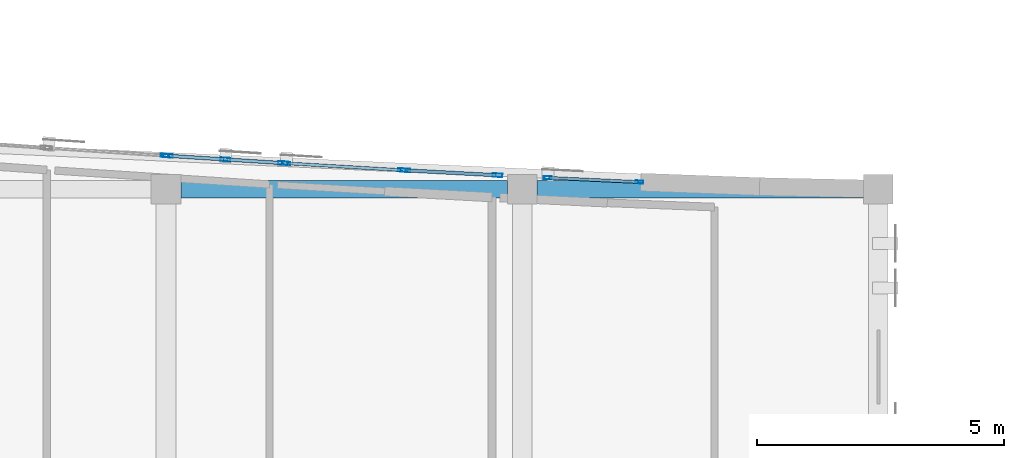
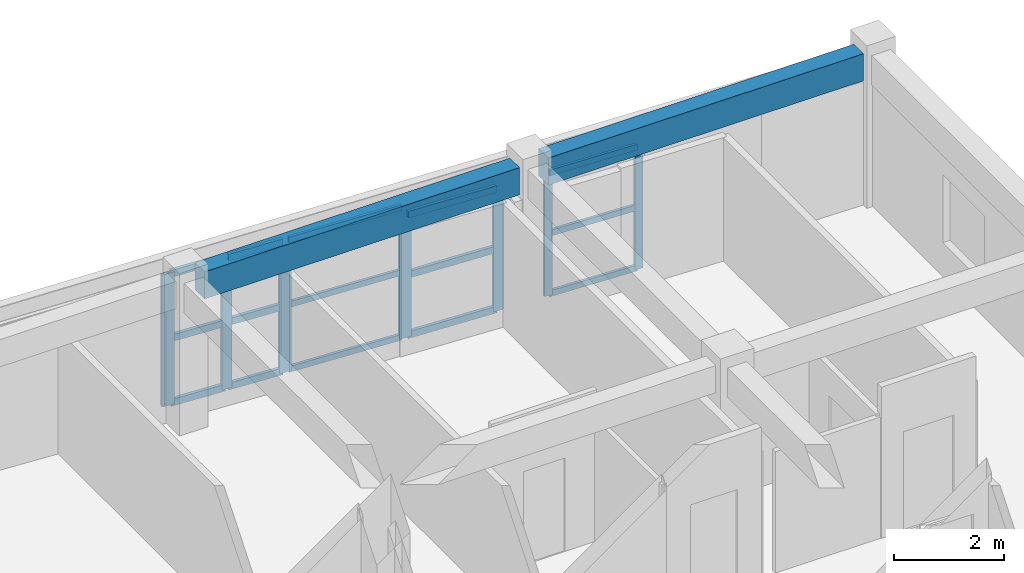
# One storey, part 30 of 50: 25 members, 2 beams, 5 elements without a shape of their own.
"""IFC4 building model written with IfcOpenShell, lengths in metres."""

from ifc_helpers import new_model, si_unit, direction, frame, origin, origin_2d, place, context, subcontext, project, spatial, rectangle, hollow_rectangle, extrude, material, layer, layer_set, material_profile, profile_set, type_object, element, aggregate, save


model = new_model("IFC4")

# Units and contexts
model_context = context("Model", 3, precision=1e-05, world=origin(), true_north=direction((0.0, 1.0)))
body_context = subcontext(model_context, "Body", "Model", "MODEL_VIEW")
ifc_project = project(units=[si_unit("LENGTHUNIT", "METRE"), si_unit("AREAUNIT", "SQUARE_METRE"), si_unit("VOLUMEUNIT", "CUBIC_METRE"), si_unit("PLANEANGLEUNIT", "RADIAN"), si_unit("MASSUNIT", "GRAM", prefix="KILO")], contexts=[model_context])

# Site, building, storey
site_placement = place(None, origin())
site = spatial("IfcSite", under=ifc_project, at=site_placement, CompositionType="ELEMENT")
building_placement = place(site_placement, origin())
building = spatial("IfcBuilding", under=site, at=building_placement, Name="Carrowvane Square Congress Hotel", CompositionType="ELEMENT")
storey_placement = place(building_placement, frame((0.0, 0.0, 22.800048828125)))
storey = spatial("IfcBuildingStorey", under=building, at=storey_placement, Name="L05", CompositionType="ELEMENT", Elevation=22.800048828125)

# Beams
ifc_material_1 = material(Name="Concrete C35/45", Category="concrete")
ifc_material_profile_1 = material_profile(ifc_material_1, rectangle(XDim=0.35009765625, YDim=0.60009765625, at=origin_2d()), Name="RC 350x600")
ifc_profile_set_1 = profile_set([ifc_material_profile_1], Name="Concrete C35/45")
beam_type = type_object("IfcBeamType", Name="BM-RC-350x600", PredefinedType="BEAM", material=ifc_profile_set_1)
for number, where, z_axis, x_axis, name in (
    (1, (148.699951171875, 113.39990234375, 3.050048828125), (1.0, 0.0, 0.0), (0.0, 1.0, 0.0), "L06 girder R/20-21"),
    (2, (155.89990234375, 113.39990234375, 3.050048828125), (1.0, 0.0, 0.0), (0.0, 1.0, 0.0), "L06 girder R/21-22"),
):
    element("IfcBeam", number, at=place(storey_placement, frame(where, z_axis=z_axis, x_axis=x_axis)), inside=storey, type_object=beam_type, Name=name, PredefinedType="BEAM", context=body_context, shape_type="SweptSolid", body=[
        extrude(rectangle(XDim=0.35009765625, YDim=0.60009765625, at=origin_2d()), origin(), (0.0, 0.0, 1.0), 6.60009765625),
    ])

# Curtain wall, member
ifc_material_2 = material(Name="Anodised aluminium", Category="aluminium")
ifc_layer_1 = layer(ifc_material_2, 0.162109375)
ifc_layer_set_1 = layer_set([ifc_layer_1], Name="Anodised aluminium")
curtain_wall_type_1 = type_object("IfcCurtainWallType", Name="CW-SYS-1", PredefinedType="NOTDEFINED", material=ifc_layer_set_1)
curtain_wall_1_placement = place(storey_placement, origin())
curtain_wall_1 = element("IfcCurtainWall", 3, at=curtain_wall_1_placement, inside=storey, type_object=curtain_wall_type_1, Name="L05 unitised curtain wall 352", PredefinedType="NOTDEFINED")
ifc_material_3 = material(Name="Anodised aluminium", Category="aluminium")
ifc_material_profile_2 = material_profile(ifc_material_3, hollow_rectangle(XDim=0.06005859375, YDim=0.159912109375, WallThickness=0.00390625, at=origin_2d()), Name="CW-ML 60x160x4")
ifc_profile_set_2 = profile_set([ifc_material_profile_2], Name="Anodised aluminium")
member_type_1 = type_object("IfcMemberType", Name="CW-MUL-1", PredefinedType="MULLION", material=ifc_profile_set_2)
member_1_placement = place(storey_placement, frame((148.3701171875, 114.077392578125, 0.0), z_axis=(0.0, 0.0, 1.0), x_axis=(0.06657392244, 0.997781495544, 0.0)))
member_1 = element("IfcMember", 4, at=member_1_placement, type_object=member_type_1, Name="CW-1 mullion 2", PredefinedType="MULLION", context=body_context, shape_type="SweptSolid", body=[
    extrude(hollow_rectangle(XDim=0.06005859375, YDim=0.159912109375, WallThickness=0.00390625, at=origin_2d()), origin(), (0.0, 0.0, 1.0), 2.925537109375),
])
aggregate(curtain_wall_1, [member_1])

# Curtain wall, members
ifc_material_4 = material(Name="Anodised aluminium", Category="aluminium")
ifc_layer_2 = layer(ifc_material_4, 0.18603515625)
ifc_layer_set_2 = layer_set([ifc_layer_2], Name="Anodised aluminium")
curtain_wall_type_2 = type_object("IfcCurtainWallType", Name="CW-SYS-3", PredefinedType="NOTDEFINED", material=ifc_layer_set_2)
curtain_wall_2_placement = place(storey_placement, origin())
curtain_wall_2 = element("IfcCurtainWall", 5, at=curtain_wall_2_placement, inside=storey, type_object=curtain_wall_type_2, Name="L05 unitised curtain wall 354", PredefinedType="NOTDEFINED")
member_2_placement = place(storey_placement, frame((150.829833984375, 113.92138671875, 0.0), z_axis=(0.0, 0.0, 1.0), x_axis=(0.058988522254, 0.99825866099, 0.0)))
member_2 = element("IfcMember", 6, at=member_2_placement, type_object=member_type_1, Name="CW-3 mullion 1", PredefinedType="MULLION", context=body_context, shape_type="SweptSolid", body=[
    extrude(hollow_rectangle(XDim=0.06005859375, YDim=0.159912109375, WallThickness=0.00390625, at=origin_2d()), origin(), (0.0, 0.0, 1.0), 2.925537109375),
])
member_3_placement = place(storey_placement, frame((153.170166015625, 113.783203125, 0.0), z_axis=(0.0, 0.0, 1.0), x_axis=(0.058988522254, 0.99825866099, 0.0)))
member_3 = element("IfcMember", 7, at=member_3_placement, type_object=member_type_1, Name="CW-3 mullion 2", PredefinedType="MULLION", context=body_context, shape_type="SweptSolid", body=[
    extrude(hollow_rectangle(XDim=0.06005859375, YDim=0.159912109375, WallThickness=0.00390625, at=origin_2d()), origin(), (0.0, 0.0, 1.0), 2.925537109375),
])

ifc_material_5 = material(Name="Anodised aluminium", Category="aluminium")
ifc_layer_3 = layer(ifc_material_5, 0.2099609375)
ifc_layer_set_3 = layer_set([ifc_layer_3], Name="Anodised aluminium")
curtain_wall_type_3 = type_object("IfcCurtainWallType", Name="CW-SYS-5", PredefinedType="NOTDEFINED", material=ifc_layer_set_3)
curtain_wall_3_placement = place(storey_placement, origin())
curtain_wall_3 = element("IfcCurtainWall", 8, at=curtain_wall_3_placement, inside=storey, type_object=curtain_wall_type_3, Name="L05 unitised curtain wall 356", PredefinedType="NOTDEFINED")
member_4_placement = place(storey_placement, frame((156.11865234375, 113.628662109375, 0.0), z_axis=(0.0, 0.0, 1.0), x_axis=(0.046522035775, 0.998917263935, 0.0)))
member_4 = element("IfcMember", 9, at=member_4_placement, type_object=member_type_1, Name="CW-5 mullion 1", PredefinedType="MULLION", context=body_context, shape_type="SweptSolid", body=[
    extrude(hollow_rectangle(XDim=0.06005859375, YDim=0.159912109375, WallThickness=0.00390625, at=origin_2d()), origin(), (0.0, 0.0, 1.0), 2.73486328125),
])
member_5_placement = place(storey_placement, frame((157.969970703125, 113.54248046875, 0.0), z_axis=(0.0, 0.0, 1.0), x_axis=(0.046522035775, 0.998917263935, 0.0)))
member_5 = element("IfcMember", 10, at=member_5_placement, type_object=member_type_1, Name="CW-5 mullion 2", PredefinedType="MULLION", context=body_context, shape_type="SweptSolid", body=[
    extrude(hollow_rectangle(XDim=0.06005859375, YDim=0.159912109375, WallThickness=0.00390625, at=origin_2d()), origin(), (0.0, 0.0, 1.0), 2.73486328125),
])

ifc_material_6 = material(Name="Anodised aluminium", Category="aluminium")
ifc_layer_4 = layer(ifc_material_6, 0.174072265625)
ifc_layer_set_4 = layer_set([ifc_layer_4], Name="Anodised aluminium")
curtain_wall_type_4 = type_object("IfcCurtainWallType", Name="CW-SYS-2", PredefinedType="NOTDEFINED", material=ifc_layer_set_4)
curtain_wall_4_placement = place(storey_placement, origin())
curtain_wall_4 = element("IfcCurtainWall", 11, at=curtain_wall_4_placement, inside=storey, type_object=curtain_wall_type_4, Name="L05 unitised curtain wall 353", PredefinedType="NOTDEFINED")
ifc_material_7 = material(Name="Anodised aluminium", Category="aluminium")
ifc_material_profile_3 = material_profile(ifc_material_7, hollow_rectangle(XDim=0.070068359375, YDim=0.199951171875, WallThickness=0.0048828125, at=origin_2d()), Name="CW-ML 70x200x5")
ifc_profile_set_3 = profile_set([ifc_material_profile_3], Name="Anodised aluminium")
member_type_2 = type_object("IfcMemberType", Name="CW-MUL-2", PredefinedType="MULLION", material=ifc_profile_set_3)
member_6_placement = place(storey_placement, frame((148.434814453125, 114.0732421875, 0.0), z_axis=(0.0, 0.0, 1.0), x_axis=(0.063273487972, 0.997996225303, 0.0)))
member_6 = element("IfcMember", 12, at=member_6_placement, type_object=member_type_2, Name="CW-2 mullion 1", PredefinedType="MULLION", context=body_context, shape_type="SweptSolid", body=[
    extrude(hollow_rectangle(XDim=0.070068359375, YDim=0.199951171875, WallThickness=0.0048828125, at=origin_2d()), origin(), (0.0, 0.0, 1.0), 2.925537109375),
])
member_7_placement = place(storey_placement, frame((149.60009765625, 113.999267578125, 0.0), z_axis=(0.0, 0.0, 1.0), x_axis=(0.063273487972, 0.997996225303, 0.0)))
member_7 = element("IfcMember", 13, at=member_7_placement, type_object=member_type_2, Name="CW-2 mullion 2", PredefinedType="MULLION", context=body_context, shape_type="SweptSolid", body=[
    extrude(hollow_rectangle(XDim=0.070068359375, YDim=0.199951171875, WallThickness=0.0048828125, at=origin_2d()), origin(), (0.0, 0.0, 1.0), 2.925537109375),
])
member_8_placement = place(storey_placement, frame((150.76513671875, 113.92529296875, 0.0), z_axis=(0.0, 0.0, 1.0), x_axis=(0.063273487972, 0.997996225303, 0.0)))
member_8 = element("IfcMember", 14, at=member_8_placement, type_object=member_type_2, Name="CW-2 mullion 3", PredefinedType="MULLION", context=body_context, shape_type="SweptSolid", body=[
    extrude(hollow_rectangle(XDim=0.070068359375, YDim=0.199951171875, WallThickness=0.0048828125, at=origin_2d()), origin(), (0.0, 0.0, 1.0), 2.925537109375),
])

ifc_material_8 = material(Name="Anodised aluminium", Category="aluminium")
ifc_layer_5 = layer(ifc_material_8, 0.197998046875)
ifc_layer_set_5 = layer_set([ifc_layer_5], Name="Anodised aluminium")
curtain_wall_type_5 = type_object("IfcCurtainWallType", Name="CW-SYS-4", PredefinedType="NOTDEFINED", material=ifc_layer_set_5)
curtain_wall_5_placement = place(storey_placement, origin())
curtain_wall_5 = element("IfcCurtainWall", 15, at=curtain_wall_5_placement, inside=storey, type_object=curtain_wall_type_5, Name="L05 unitised curtain wall 355", PredefinedType="NOTDEFINED")
member_9_placement = place(storey_placement, frame((153.23486328125, 113.779541015625, 0.0), z_axis=(0.0, 0.0, 1.0), x_axis=(0.053516203185, 0.998566981227, 0.0)))
member_9 = element("IfcMember", 16, at=member_9_placement, type_object=member_type_2, Name="CW-4 mullion 1", PredefinedType="MULLION", context=body_context, shape_type="SweptSolid", body=[
    extrude(hollow_rectangle(XDim=0.070068359375, YDim=0.199951171875, WallThickness=0.0048828125, at=origin_2d()), origin(), (0.0, 0.0, 1.0), 2.73486328125),
])
member_10_placement = place(storey_placement, frame((155.101806640625, 113.679443359375, 0.0), z_axis=(0.0, 0.0, 1.0), x_axis=(0.053516203185, 0.998566981227, 0.0)))
member_10 = element("IfcMember", 17, at=member_10_placement, type_object=member_type_2, Name="CW-4 mullion 2", PredefinedType="MULLION", context=body_context, shape_type="SweptSolid", body=[
    extrude(hollow_rectangle(XDim=0.070068359375, YDim=0.199951171875, WallThickness=0.0048828125, at=origin_2d()), origin(), (0.0, 0.0, 1.0), 2.73486328125),
])

# Member
ifc_material_9 = material(Name="Anodised aluminium", Category="aluminium")
ifc_material_profile_4 = material_profile(ifc_material_9, hollow_rectangle(XDim=0.06005859375, YDim=0.1298828125, WallThickness=0.00390625, at=origin_2d()), Name="CW-TR 60x130x4")
ifc_profile_set_4 = profile_set([ifc_material_profile_4], Name="Anodised aluminium")
member_type_3 = type_object("IfcMemberType", Name="CW-TRN-1", PredefinedType="USERDEFINED", material=ifc_profile_set_4)
member_11_placement = place(storey_placement, frame((150.85986328125, 113.919677734375, 0.030029296875), z_axis=(0.998258118852, -0.058997696103, 0.0), x_axis=(0.058997696103, 0.998258118852, 0.0)))
member_11 = element("IfcMember", 18, at=member_11_placement, type_object=member_type_3, Name="CW-3 transom 1.1", ObjectType="TRANSOM", PredefinedType="USERDEFINED", context=body_context, shape_type="SweptSolid", body=[
    extrude(hollow_rectangle(XDim=0.06005859375, YDim=0.1298828125, WallThickness=0.00390625, at=origin_2d()), origin(), (0.0, 0.0, 1.0), 2.2841796875),
])

member_12_placement = place(storey_placement, frame((150.85986328125, 113.919677734375, 1.462646484375), z_axis=(0.998258118852, -0.058997696103, 0.0), x_axis=(0.058997696103, 0.998258118852, 0.0)))
member_12 = element("IfcMember", 19, at=member_12_placement, type_object=member_type_3, Name="CW-3 transom 1.2", ObjectType="TRANSOM", PredefinedType="USERDEFINED", context=body_context, shape_type="SweptSolid", body=[
    extrude(hollow_rectangle(XDim=0.06005859375, YDim=0.1298828125, WallThickness=0.00390625, at=origin_2d()), origin(), (0.0, 0.0, 1.0), 2.2841796875),
])

member_13_placement = place(storey_placement, frame((150.85986328125, 113.919677734375, 2.8955078125), z_axis=(0.998258118852, -0.058997696103, 0.0), x_axis=(0.058997696103, 0.998258118852, 0.0)))
member_13 = element("IfcMember", 20, at=member_13_placement, type_object=member_type_3, Name="CW-3 transom 1.3", ObjectType="TRANSOM", PredefinedType="USERDEFINED", context=body_context, shape_type="SweptSolid", body=[
    extrude(hollow_rectangle(XDim=0.06005859375, YDim=0.1298828125, WallThickness=0.00390625, at=origin_2d()), origin(), (0.0, 0.0, 1.0), 2.2841796875),
])

aggregate(curtain_wall_2, [member_2, member_3, member_11, member_12, member_13])

member_14_placement = place(storey_placement, frame((156.1484375, 113.627197265625, 0.030029296875), z_axis=(0.998915968728, -0.04654983803, 0.0), x_axis=(0.04654983803, 0.998915968728, 0.0)))
member_14 = element("IfcMember", 21, at=member_14_placement, type_object=member_type_3, Name="CW-5 transom 1.1", ObjectType="TRANSOM", PredefinedType="USERDEFINED", context=body_context, shape_type="SweptSolid", body=[
    extrude(hollow_rectangle(XDim=0.06005859375, YDim=0.1298828125, WallThickness=0.00390625, at=origin_2d()), origin(), (0.0, 0.0, 1.0), 1.793701171875),
])

member_15_placement = place(storey_placement, frame((156.1484375, 113.627197265625, 1.367431640625), z_axis=(0.998915968728, -0.04654983803, 0.0), x_axis=(0.04654983803, 0.998915968728, 0.0)))
member_15 = element("IfcMember", 22, at=member_15_placement, type_object=member_type_3, Name="CW-5 transom 1.2", ObjectType="TRANSOM", PredefinedType="USERDEFINED", context=body_context, shape_type="SweptSolid", body=[
    extrude(hollow_rectangle(XDim=0.06005859375, YDim=0.1298828125, WallThickness=0.00390625, at=origin_2d()), origin(), (0.0, 0.0, 1.0), 1.793701171875),
])

member_16_placement = place(storey_placement, frame((156.1484375, 113.627197265625, 2.704833984375), z_axis=(0.998915968728, -0.04654983803, 0.0), x_axis=(0.04654983803, 0.998915968728, 0.0)))
member_16 = element("IfcMember", 23, at=member_16_placement, type_object=member_type_3, Name="CW-5 transom 1.3", ObjectType="TRANSOM", PredefinedType="USERDEFINED", context=body_context, shape_type="SweptSolid", body=[
    extrude(hollow_rectangle(XDim=0.06005859375, YDim=0.1298828125, WallThickness=0.00390625, at=origin_2d()), origin(), (0.0, 0.0, 1.0), 1.793701171875),
])

aggregate(curtain_wall_3, [member_4, member_5, member_14, member_15, member_16])

ifc_material_10 = material(Name="Anodised aluminium", Category="aluminium")
ifc_material_profile_5 = material_profile(ifc_material_10, hollow_rectangle(XDim=0.070068359375, YDim=0.14990234375, WallThickness=0.0048828125, at=origin_2d()), Name="CW-TR 70x150x5")
ifc_profile_set_5 = profile_set([ifc_material_profile_5], Name="Anodised aluminium")
member_type_4 = type_object("IfcMemberType", Name="CW-TRN-2", PredefinedType="USERDEFINED", material=ifc_profile_set_5)
member_17_placement = place(storey_placement, frame((148.469970703125, 114.07080078125, 0.034912109375), z_axis=(0.998001159497, -0.063195614113, 0.0), x_axis=(0.063195614113, 0.998001159497, 0.0)))
member_17 = element("IfcMember", 24, at=member_17_placement, type_object=member_type_4, Name="CW-2 transom 1.1", ObjectType="TRANSOM", PredefinedType="USERDEFINED", context=body_context, shape_type="SweptSolid", body=[
    extrude(hollow_rectangle(XDim=0.070068359375, YDim=0.14990234375, WallThickness=0.0048828125, at=origin_2d()), origin(), (0.0, 0.0, 1.0), 1.09716796875),
])

member_18_placement = place(storey_placement, frame((148.469970703125, 114.07080078125, 1.462646484375), z_axis=(0.998001159497, -0.063195614113, 0.0), x_axis=(0.063195614113, 0.998001159497, 0.0)))
member_18 = element("IfcMember", 25, at=member_18_placement, type_object=member_type_4, Name="CW-2 transom 1.2", ObjectType="TRANSOM", PredefinedType="USERDEFINED", context=body_context, shape_type="SweptSolid", body=[
    extrude(hollow_rectangle(XDim=0.070068359375, YDim=0.14990234375, WallThickness=0.0048828125, at=origin_2d()), origin(), (0.0, 0.0, 1.0), 1.09716796875),
])

member_19_placement = place(storey_placement, frame((148.469970703125, 114.07080078125, 2.890625), z_axis=(0.998001159497, -0.063195614113, 0.0), x_axis=(0.063195614113, 0.998001159497, 0.0)))
member_19 = element("IfcMember", 26, at=member_19_placement, type_object=member_type_4, Name="CW-2 transom 1.3", ObjectType="TRANSOM", PredefinedType="USERDEFINED", context=body_context, shape_type="SweptSolid", body=[
    extrude(hollow_rectangle(XDim=0.070068359375, YDim=0.14990234375, WallThickness=0.0048828125, at=origin_2d()), origin(), (0.0, 0.0, 1.0), 1.09716796875),
])

member_20_placement = place(storey_placement, frame((149.635009765625, 113.9970703125, 0.034912109375), z_axis=(0.997987995528, -0.063403160661, 0.0), x_axis=(0.063403160661, 0.997987995528, 0.0)))
member_20 = element("IfcMember", 27, at=member_20_placement, type_object=member_type_4, Name="CW-2 transom 2.1", ObjectType="TRANSOM", PredefinedType="USERDEFINED", context=body_context, shape_type="SweptSolid", body=[
    extrude(hollow_rectangle(XDim=0.070068359375, YDim=0.14990234375, WallThickness=0.0048828125, at=origin_2d()), origin(), (0.0, 0.0, 1.0), 1.097412109375),
])

member_21_placement = place(storey_placement, frame((149.635009765625, 113.9970703125, 1.462646484375), z_axis=(0.997987995528, -0.063403160661, 0.0), x_axis=(0.063403160661, 0.997987995528, 0.0)))
member_21 = element("IfcMember", 28, at=member_21_placement, type_object=member_type_4, Name="CW-2 transom 2.2", ObjectType="TRANSOM", PredefinedType="USERDEFINED", context=body_context, shape_type="SweptSolid", body=[
    extrude(hollow_rectangle(XDim=0.070068359375, YDim=0.14990234375, WallThickness=0.0048828125, at=origin_2d()), origin(), (0.0, 0.0, 1.0), 1.097412109375),
])

member_22_placement = place(storey_placement, frame((149.635009765625, 113.9970703125, 2.890625), z_axis=(0.997987995528, -0.063403160661, 0.0), x_axis=(0.063403160661, 0.997987995528, 0.0)))
member_22 = element("IfcMember", 29, at=member_22_placement, type_object=member_type_4, Name="CW-2 transom 2.3", ObjectType="TRANSOM", PredefinedType="USERDEFINED", context=body_context, shape_type="SweptSolid", body=[
    extrude(hollow_rectangle(XDim=0.070068359375, YDim=0.14990234375, WallThickness=0.0048828125, at=origin_2d()), origin(), (0.0, 0.0, 1.0), 1.097412109375),
])

aggregate(curtain_wall_4, [member_6, member_7, member_8, member_17, member_18, member_19, member_20, member_21, member_22])

member_23_placement = place(storey_placement, frame((153.27001953125, 113.777587890625, 0.034912109375), z_axis=(0.998570202242, -0.053456067892, 0.0), x_axis=(0.053456067892, 0.998570202242, 0.0)))
member_23 = element("IfcMember", 30, at=member_23_placement, type_object=member_type_4, Name="CW-4 transom 1.1", ObjectType="TRANSOM", PredefinedType="USERDEFINED", context=body_context, shape_type="SweptSolid", body=[
    extrude(hollow_rectangle(XDim=0.070068359375, YDim=0.14990234375, WallThickness=0.0048828125, at=origin_2d()), origin(), (0.0, 0.0, 1.0), 1.799560546875),
])

member_24_placement = place(storey_placement, frame((153.27001953125, 113.777587890625, 1.367431640625), z_axis=(0.998570202242, -0.053456067892, 0.0), x_axis=(0.053456067892, 0.998570202242, 0.0)))
member_24 = element("IfcMember", 31, at=member_24_placement, type_object=member_type_4, Name="CW-4 transom 1.2", ObjectType="TRANSOM", PredefinedType="USERDEFINED", context=body_context, shape_type="SweptSolid", body=[
    extrude(hollow_rectangle(XDim=0.070068359375, YDim=0.14990234375, WallThickness=0.0048828125, at=origin_2d()), origin(), (0.0, 0.0, 1.0), 1.799560546875),
])

member_25_placement = place(storey_placement, frame((153.27001953125, 113.777587890625, 2.699951171875), z_axis=(0.998570202242, -0.053456067892, 0.0), x_axis=(0.053456067892, 0.998570202242, 0.0)))
member_25 = element("IfcMember", 32, at=member_25_placement, type_object=member_type_4, Name="CW-4 transom 1.3", ObjectType="TRANSOM", PredefinedType="USERDEFINED", context=body_context, shape_type="SweptSolid", body=[
    extrude(hollow_rectangle(XDim=0.070068359375, YDim=0.14990234375, WallThickness=0.0048828125, at=origin_2d()), origin(), (0.0, 0.0, 1.0), 1.799560546875),
])

aggregate(curtain_wall_5, [member_9, member_10, member_23, member_24, member_25])

save(model, "model.ifc")
